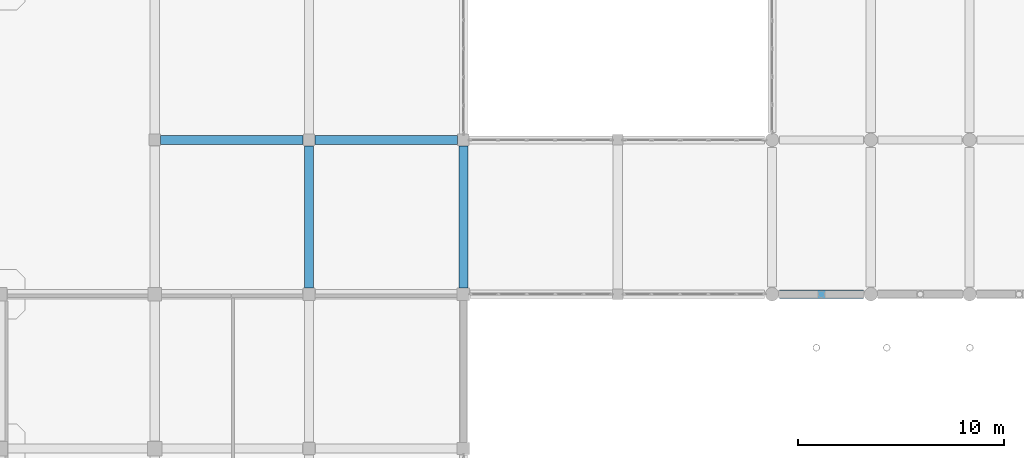
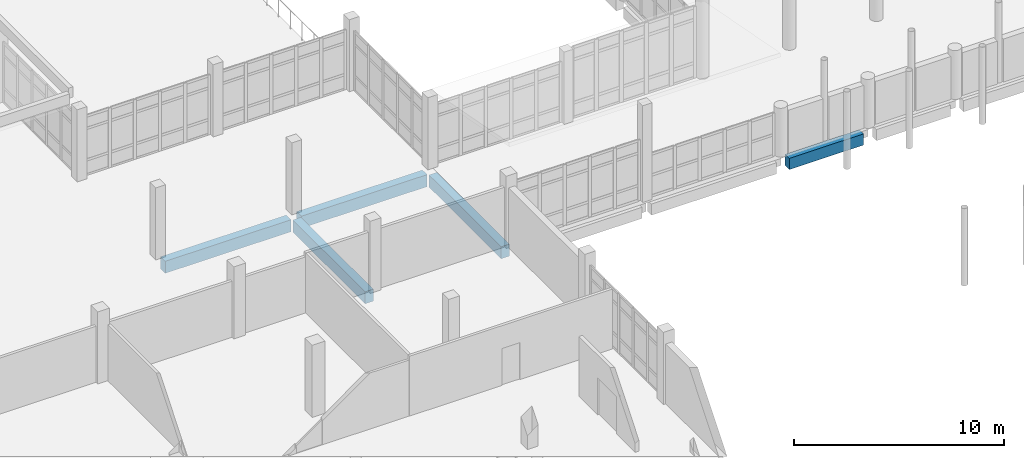
# One storey, part 46 of 164: 5 beams.
"""IFC4 building model written with IfcOpenShell, lengths in metres."""

from ifc_helpers import new_model, si_unit, direction, frame, origin, origin_2d, place, context, subcontext, project, spatial, rectangle, extrude, material, material_profile, profile_set, type_object, element, save


model = new_model("IFC4")

# Units and contexts
model_context = context("Model", 3, precision=1e-05, world=origin(), true_north=direction((0.0, 1.0)))
body_context = subcontext(model_context, "Body", "Model", "MODEL_VIEW")
ifc_project = project(units=[si_unit("LENGTHUNIT", "METRE"), si_unit("AREAUNIT", "SQUARE_METRE"), si_unit("VOLUMEUNIT", "CUBIC_METRE"), si_unit("PLANEANGLEUNIT", "RADIAN"), si_unit("MASSUNIT", "GRAM", prefix="KILO")], contexts=[model_context])

# Site, building, storey
site_placement = place(None, origin())
site = spatial("IfcSite", under=ifc_project, at=site_placement, CompositionType="ELEMENT")
building_placement = place(site_placement, origin())
building = spatial("IfcBuilding", under=site, at=building_placement, Name="Mawjan Specialist Oncology Clinic", CompositionType="ELEMENT")
storey_placement = place(building_placement, frame((0.0, 0.0, 5.0)))
storey = spatial("IfcBuildingStorey", under=building, at=storey_placement, Name="L01", CompositionType="ELEMENT", Elevation=5.0)

# Beams
ifc_material_1 = material(Name="Concrete C40/50", Category="concrete")
ifc_material_profile_1 = material_profile(ifc_material_1, rectangle(XDim=0.449951171875, YDim=0.699951171875, at=origin_2d()), Name="RC BM 450x700", Category="concrete")
ifc_profile_set_1 = profile_set([ifc_material_profile_1], Name="Concrete C40/50")
beam_type_1 = type_object("IfcBeamType", Name="BM-450x700", PredefinedType="BEAM", material=ifc_profile_set_1)
for number, where, z_axis, x_axis, name in (
    (1, (30.284912109375, 53.300048828125, -0.64990234375), (1.0, 0.0, 0.0), (0.0, 1.0, 0.0), "L01 Collector Beam BM-L01-0276"),
    (2, (37.784912109375, 53.300048828125, -0.64990234375), (1.0, 0.0, 0.0), (0.0, 1.0, 0.0), "L01 Collector Beam BM-L01-0277"),
):
    element("IfcBeam", number, at=place(storey_placement, frame(where, z_axis=z_axis, x_axis=x_axis)), inside=storey, type_object=beam_type_1, Name=name, PredefinedType="BEAM", context=body_context, shape_type="SweptSolid", body=[
        extrude(rectangle(XDim=0.449951171875, YDim=0.699951171875, at=origin_2d()), origin(), (0.0, 0.0, 1.0), 6.93017578125),
    ])
for number, where, z_axis, x_axis, name in (
    (3, (37.5, 46.110107421875, -0.64990234375), (0.0, 1.0, 0.0), (-1.0, 0.0, 0.0), "L01 Collector Beam BM-L01-0468"),
    (4, (45.0, 46.110107421875, -0.64990234375), (0.0, 1.0, 0.0), (-1.0, 0.0, 0.0), "L01 Collector Beam BM-L01-0475"),
):
    element("IfcBeam", number, at=place(storey_placement, frame(where, z_axis=z_axis, x_axis=x_axis)), inside=storey, type_object=beam_type_1, Name=name, PredefinedType="BEAM", context=body_context, shape_type="SweptSolid", body=[
        extrude(rectangle(XDim=0.449951171875, YDim=0.699951171875, at=origin_2d()), origin(), (0.0, 0.0, 1.0), 6.90478515625),
    ])
ifc_material_2 = material(Name="Concrete C45/55", Category="concrete")
ifc_material_profile_2 = material_profile(ifc_material_2, rectangle(XDim=0.39990234375, YDim=0.64990234375, at=origin_2d()), Name="RC BM 400x650", Category="concrete")
ifc_profile_set_2 = profile_set([ifc_material_profile_2], Name="Concrete C45/55")
beam_type_2 = type_object("IfcBeamType", Name="SP-400x650", PredefinedType="SPANDREL", material=ifc_profile_set_2)
beam_placement = place(storey_placement, frame((60.360107421875, 45.800048828125, -0.625), z_axis=(1.0, 0.0, 0.0), x_axis=(0.0, 1.0, 0.0)))
element("IfcBeam", 5, at=beam_placement, inside=storey, type_object=beam_type_2, Name="L01 Spandrel Beam BM-L01-0264", PredefinedType="SPANDREL", context=body_context, shape_type="SweptSolid", body=[
    extrude(rectangle(XDim=0.39990234375, YDim=0.64990234375, at=origin_2d()), origin(), (0.0, 0.0, 1.0), 4.079833984375),
])

save(model, "model.ifc")
